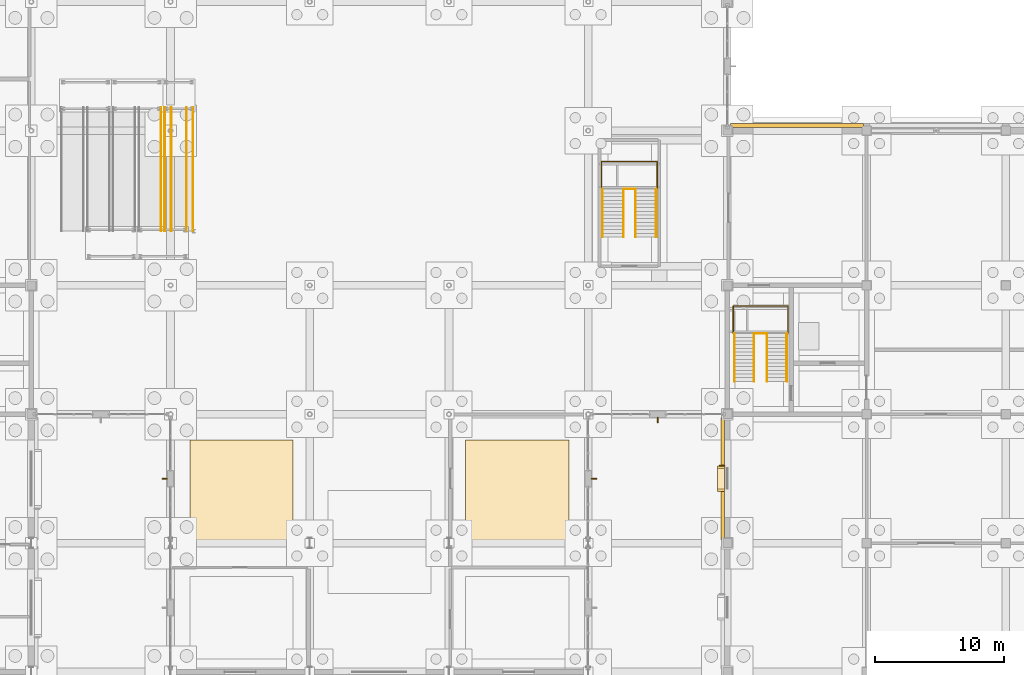
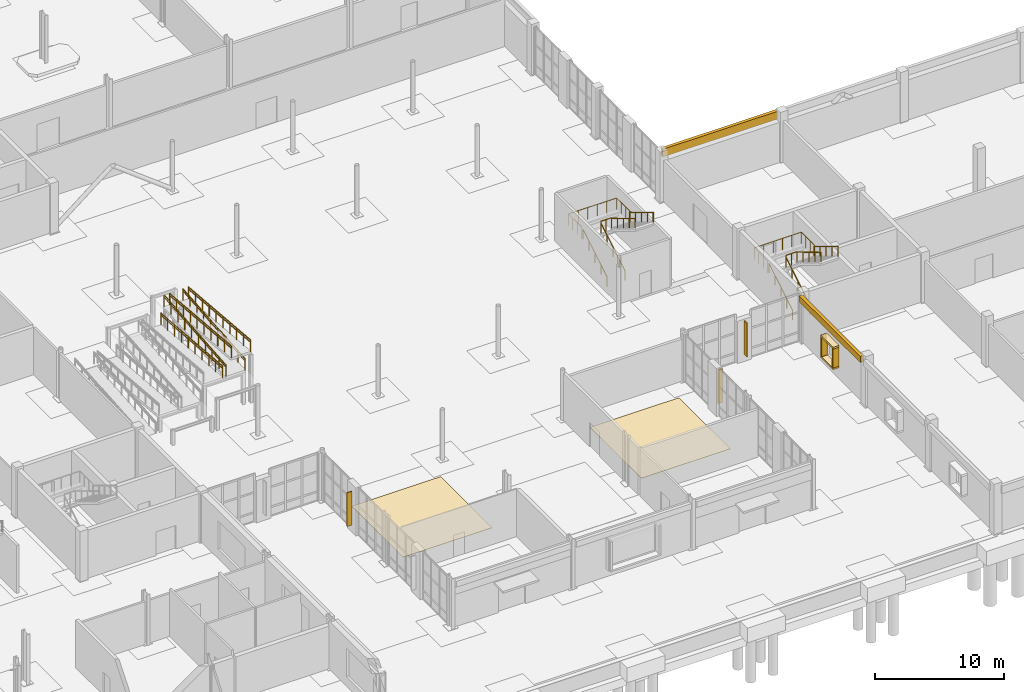
# One storey, part 66 of 73: 22 railings, 8 coverings, 4 shading devices.
"""IFC4 building model written with IfcOpenShell, lengths in metres."""

import ifcopenshell
import ifcopenshell.guid

model = None  # the IFC model being written
_history = None  # IfcOwnerHistory: only IFC2X3 demands one
_inside = {}  # id of a spatial element -> (the spatial element, [elements in it])
_under = {}  # id of a project, library or spatial element -> (it, [spatial elements below it])
_declared = {}  # id of a project -> (the project, [libraries it declares])
_typed = {}  # id of a type object -> (the type object, [elements of that type])
_made_of = {}  # id of a material, layer set ... -> (it, [elements and type objects made of it])


def new_model(schema):
    """Start an empty IFC model of exactly this schema.

    Asked for "IFC4X3", IfcOpenShell would pick the latest addendum, in which some entities
    have other attributes; the version numbers below select the first issue.
    IFC2X3 requires an IfcOwnerHistory on every rooted entity: one is made here for all.
    """
    global model, _history
    if schema == "IFC4X3":
        model = ifcopenshell.file(schema_version=(4, 3, 0, 0))
    else:
        model = ifcopenshell.file(schema=schema)
    _inside.clear()
    _under.clear()
    _declared.clear()
    _typed.clear()
    _made_of.clear()
    _history = None
    if model.schema == "IFC2X3":
        org = make("IfcOrganization", Name="unknown")
        user = make(
            "IfcPersonAndOrganization",
            ThePerson=make("IfcPerson", FamilyName="unknown"),
            TheOrganization=org,
        )
        app = make(
            "IfcApplication",
            ApplicationDeveloper=org,
            Version="unknown",
            ApplicationFullName="unknown",
            ApplicationIdentifier="unknown",
        )
        _history = make(
            "IfcOwnerHistory",
            OwningUser=user,
            OwningApplication=app,
            ChangeAction="ADDED",
            CreationDate=0,
        )
    return model


def make(cls, **values):
    """One entity of the class cls with the attributes given. An attribute that is None is left unset."""
    return model.create_entity(
        cls, **{name: value for name, value in values.items() if value is not None}
    )


def rooted(cls, **values):
    """An entity with a GlobalId (a new one), such as an element, a storey or a relation."""
    return make(cls, GlobalId=ifcopenshell.guid.new(), OwnerHistory=_history, **values)


def si_unit(unit_type, name, prefix=None):
    """IfcSIUnit, for example si_unit("LENGTHUNIT", "METRE", prefix="MILLI")."""
    return make("IfcSIUnit", UnitType=unit_type, Prefix=prefix, Name=name)


def assignment(units):
    """IfcUnitAssignment: the units of a project."""
    return None if units is None else make("IfcUnitAssignment", Units=units)


def point(xyz):
    """IfcCartesianPoint."""
    return None if xyz is None else make("IfcCartesianPoint", Coordinates=xyz)


def direction(xyz):
    """IfcDirection."""
    return None if xyz is None else make("IfcDirection", DirectionRatios=xyz)


def frame(location, z_axis=None, x_axis=None):
    """IfcAxis2Placement3D, a coordinate frame: its origin and axes. An axis left out is left unset."""
    return make(
        "IfcAxis2Placement3D",
        Location=point(location),
        Axis=direction(z_axis),
        RefDirection=direction(x_axis),
    )


def frame_2d(location, x_axis=None):
    """IfcAxis2Placement2D, a coordinate frame in the plane: its origin and x axis."""
    return make(
        "IfcAxis2Placement2D", Location=point(location), RefDirection=direction(x_axis)
    )


def origin():
    """The frame at (0, 0, 0) with its axes left unset."""
    return frame((0.0, 0.0, 0.0))


def origin_2d():
    """The frame at (0, 0) in the plane with its x axis left unset."""
    return frame_2d((0.0, 0.0))


def place(relative_to, where):
    """IfcLocalPlacement: puts the frame where relative to a parent placement (None: the world)."""
    return make(
        "IfcLocalPlacement", PlacementRelTo=relative_to, RelativePlacement=where
    )


def context(
    kind, dimensions, precision=None, world=None, true_north=None, identifier=None
):
    """IfcGeometricRepresentationContext, for example the 3D "Model" context."""
    return make(
        "IfcGeometricRepresentationContext",
        ContextIdentifier=identifier,
        ContextType=kind,
        CoordinateSpaceDimension=dimensions,
        Precision=precision,
        WorldCoordinateSystem=world,
        TrueNorth=true_north,
    )


def subcontext(parent, identifier, kind, view, scale=None):
    """IfcGeometricRepresentationSubContext, for example "Body" below "Model"."""
    return make(
        "IfcGeometricRepresentationSubContext",
        ContextIdentifier=identifier,
        ContextType=kind,
        ParentContext=parent,
        TargetScale=scale,
        TargetView=view,
    )


def project(units=None, contexts=None):
    """IfcProject with its units and contexts."""
    return rooted(
        "IfcProject",
        Name="project",
        RepresentationContexts=contexts,
        UnitsInContext=assignment(units),
    )


def spatial(cls, under=None, at=None, **own):
    """A site, building, storey or space (cls), placed at a placement, below another one or the project."""
    s = rooted(cls, ObjectPlacement=at, **own)
    if under is not None:
        _under.setdefault(under.id(), (under, []))[1].append(s)
    return s


def profile(cls, at=None, kind="AREA", **sizes):
    """A parametric profile (cls). Its sizes go by their IFC names, for example OverallWidth=200.0."""
    return make(cls, ProfileType=kind, Position=at, **sizes)


def rectangle(**sizes):
    """IfcRectangleProfileDef."""
    return profile("IfcRectangleProfileDef", **sizes)


def circle(**sizes):
    """IfcCircleProfileDef."""
    return profile("IfcCircleProfileDef", **sizes)


def extrude(swept, where, along, depth):
    """IfcExtrudedAreaSolid: the profile swept, set in the frame where, extruded along a direction by depth."""
    return make(
        "IfcExtrudedAreaSolid",
        SweptArea=swept,
        Position=where,
        ExtrudedDirection=direction(along),
        Depth=depth,
    )


def shape(context_of_items, identifier, shape_type, items):
    """IfcShapeRepresentation: the items that make up one representation, for example the "Body"."""
    return make(
        "IfcShapeRepresentation",
        ContextOfItems=context_of_items,
        RepresentationIdentifier=identifier,
        RepresentationType=shape_type,
        Items=items,
    )


def material(Name=None, Category=None):
    """IfcMaterial."""
    return make("IfcMaterial", Name=Name, Category=Category)


def layer(
    of_material, thickness, ventilated=None, Name=None, Category=None, Priority=None
):
    """IfcMaterialLayer: one layer of a wall or slab, of a material (None: an air gap)."""
    return make(
        "IfcMaterialLayer",
        Material=of_material,
        LayerThickness=thickness,
        IsVentilated=ventilated,
        Name=Name,
        Category=Category,
        Priority=Priority,
    )


def layer_set(layers, Name=None):
    """IfcMaterialLayerSet."""
    return make("IfcMaterialLayerSet", MaterialLayers=layers, LayerSetName=Name)


def made_of(thing, what):
    """Note that an element or type object is made of a material, layer set ...; save() writes the relation."""
    if what is not None:
        _made_of.setdefault(what.id(), (what, []))[1].append(thing)
    return thing


def type_object(cls, material=None, **own):
    """A type object (cls), such as IfcWallType, which elements share."""
    return made_of(rooted(cls, **own), material)


def element(
    cls,
    number,
    at=None,
    inside=None,
    cuts=None,
    type_object=None,
    material=None,
    context=None,
    identifier="Body",
    shape_type=None,
    held_by="IfcProductDefinitionShape",
    body=None,
    shapes=None,
    **own,
):
    """One element of the class cls, such as IfcWall. Its Tag is "e" and its number.

    at: its placement. inside: the storey or other place that contains it. cuts: it is an
    opening in that element (IfcRelVoidsElement). A single representation is given by context,
    identifier, shape_type and body (its items); several are given by shapes. held_by: the class
    of the entity that holds the representations. save() writes the other relations.
    """
    e = rooted(cls, Tag="e%d" % number, ObjectPlacement=at, **own)
    if body is not None:
        shapes = [shape(context, identifier, shape_type, body)]
    if shapes is not None:
        e.Representation = make(held_by, Representations=shapes)
    if inside is not None:
        _inside.setdefault(inside.id(), (inside, []))[1].append(e)
    if cuts is not None:
        rooted(
            "IfcRelVoidsElement", RelatingBuildingElement=cuts, RelatedOpeningElement=e
        )
    if type_object is not None:
        _typed.setdefault(type_object.id(), (type_object, []))[1].append(e)
    return made_of(e, material)


def aggregate(whole, parts):
    """IfcRelAggregates: a whole, such as a stair, and the parts it consists of."""
    return rooted("IfcRelAggregates", RelatingObject=whole, RelatedObjects=parts)


def save(model, path):
    """Write the relations noted so far, then the file.

    IfcRelAggregates (storeys below a building ...), IfcRelContainedInSpatialStructure (elements
    in a storey), IfcRelDefinesByType, IfcRelAssociatesMaterial and IfcRelDeclares: one each for
    every whole, place, type object, material and project.
    """
    for whole, parts in _under.values():
        aggregate(whole, parts)
    for where, things in _inside.values():
        rooted(
            "IfcRelContainedInSpatialStructure",
            RelatedElements=things,
            RelatingStructure=where,
        )
    for kind, things in _typed.values():
        rooted("IfcRelDefinesByType", RelatedObjects=things, RelatingType=kind)
    for what, things in _made_of.values():
        rooted("IfcRelAssociatesMaterial", RelatedObjects=things, RelatingMaterial=what)
    for by, libraries in _declared.values():
        rooted("IfcRelDeclares", RelatingContext=by, RelatedDefinitions=libraries)
    model.write(path)


model = new_model("IFC4")

# Units and contexts
model_context = context("Model", 3, precision=1e-05, world=origin(), true_north=direction((0.0, 1.0)))
body_context = subcontext(model_context, "Body", "Model", "MODEL_VIEW")
ifc_project = project(units=[si_unit("LENGTHUNIT", "METRE"), si_unit("AREAUNIT", "SQUARE_METRE"), si_unit("VOLUMEUNIT", "CUBIC_METRE"), si_unit("PLANEANGLEUNIT", "RADIAN"), si_unit("MASSUNIT", "GRAM", prefix="KILO")], contexts=[model_context])

# Site, building, storey
site_placement = place(None, origin())
site = spatial("IfcSite", under=ifc_project, at=site_placement, CompositionType="ELEMENT")
building_placement = place(site_placement, origin())
building = spatial("IfcBuilding", under=site, at=building_placement, Name="Tasgan Crest Museum", CompositionType="ELEMENT")
storey_placement = place(building_placement, origin())
storey = spatial("IfcBuildingStorey", under=building, at=storey_placement, Name="L00", CompositionType="ELEMENT", Elevation=0.0)

# Coverings
ifc_material_1 = material(Name="Polished Granite Terrazzo", Category="masonry")
ifc_layer_1 = layer(ifc_material_1, 0.030029296875, Name="COV-FLOOR-TERRAZZO")
ifc_layer_set_1 = layer_set([ifc_layer_1], Name="Polished Granite Terrazzo")
covering_type_1 = type_object("IfcCoveringType", Name="COV-FLOOR-TERRAZZO", PredefinedType="FLOORING", material=ifc_layer_set_1)
for number, where, z_axis, x_axis, name in (
    (1, (70.300048828125, 34.0, 0.0), (0.0, 0.0, 1.0), (1.0, 0.0, 0.0), "Visitor Orientation Vestibule floor finish"),
    (2, (91.699951171875, 34.0, 0.0), (0.0, 0.0, 1.0), (1.0, 0.0, 0.0), "Fire Command Centre floor finish"),
):
    element("IfcCovering", number, at=place(storey_placement, frame(where, z_axis=z_axis, x_axis=x_axis)), inside=storey, type_object=covering_type_1, Name=name, PredefinedType="FLOORING", context=body_context, shape_type="SweptSolid", body=[
        extrude(rectangle(XDim=8.0, YDim=8.0, at=origin_2d()), origin(), (0.0, 0.0, 1.0), 0.030029296875),
    ])
ifc_material_2 = material(Name="Honed Rose-Red Mongolian Granite", Category="masonry")
ifc_layer_2 = layer(ifc_material_2, 0.0400390625, Name="COV-GRANITE-ROSE")
ifc_layer_set_2 = layer_set([ifc_layer_2], Name="Honed Rose-Red Mongolian Granite")
covering_type_2 = type_object("IfcCoveringType", Name="COV-GRANITE-ROSE", PredefinedType="CLADDING", material=ifc_layer_set_2)
for number, where, z_axis, x_axis, name in (
    (3, (107.514892578125, 35.889892578125, 1.2001953125), (0.0, 0.0, 1.0), (0.0, -1.0, 0.0), "Deep window reveal jamb L00-007"),
    (4, (107.514892578125, 34.110107421875, 1.2001953125), (0.0, 0.0, 1.0), (0.0, -1.0, 0.0), "Deep window reveal jamb L00-007"),
):
    element("IfcCovering", number, at=place(storey_placement, frame(where, z_axis=z_axis, x_axis=x_axis)), inside=storey, type_object=covering_type_2, Name=name, PredefinedType="CLADDING", context=body_context, shape_type="SweptSolid", body=[
        extrude(rectangle(XDim=0.179931640625, YDim=0.550048828125, at=origin_2d()), origin(), (0.0, 0.0, 1.0), 1.800048828125),
    ])
ifc_material_3 = material(Name="Honed Buff Limestone", Category="masonry")
ifc_layer_3 = layer(ifc_material_3, 0.044921875, Name="COV-LIMESTONE-BUFF")
ifc_layer_set_3 = layer_set([ifc_layer_3], Name="Honed Buff Limestone")
covering_type_3 = type_object("IfcCoveringType", Name="COV-LIMESTONE-BUFF", PredefinedType="CLADDING", material=ifc_layer_set_3)
covering_1_placement = place(storey_placement, frame((107.64990234375, 35.0, 3.919921875), z_axis=(0.0, 0.0, 1.0), x_axis=(0.0, -1.0, 0.0)))
element("IfcCovering", 5, at=covering_1_placement, inside=storey, type_object=covering_type_3, Name="Stone frieze cladding L00", PredefinedType="CLADDING", context=body_context, shape_type="SweptSolid", body=[
    extrude(rectangle(XDim=9.510009765625, YDim=0.280029296875, at=origin_2d()), origin(), (0.0, 0.0, 1.0), 0.590087890625),
])
covering_2_placement = place(storey_placement, frame((107.514892578125, 35.0, 3.0), z_axis=(0.0, 0.0, 1.0), x_axis=(0.0, -1.0, 0.0)))
element("IfcCovering", 6, at=covering_2_placement, inside=storey, type_object=covering_type_3, Name="Deep window hood L00-007", PredefinedType="CLADDING", context=body_context, shape_type="SweptSolid", body=[
    extrude(rectangle(XDim=1.9599609375, YDim=0.550048828125, at=origin_2d()), origin(), (0.0, 0.0, 1.0), 0.179931640625),
])
covering_3_placement = place(storey_placement, frame((107.514892578125, 35.0, 1.06005859375), z_axis=(0.0, 0.0, 1.0), x_axis=(0.0, -1.0, 0.0)))
element("IfcCovering", 7, at=covering_3_placement, inside=storey, type_object=covering_type_3, Name="Deep window sill L00-007", PredefinedType="CLADDING", context=body_context, shape_type="SweptSolid", body=[
    extrude(rectangle(XDim=1.9599609375, YDim=0.550048828125, at=origin_2d()), origin(), (0.0, 0.0, 1.0), 0.139892578125),
])
covering_4_placement = place(storey_placement, frame((113.39990234375, 62.39990234375, 3.76904296875), z_axis=(0.0, 0.0, 1.0), x_axis=(-1.0, 0.0, 0.0)))
element("IfcCovering", 8, at=covering_4_placement, inside=storey, type_object=covering_type_3, Name="Stone frieze cladding L00", PredefinedType="CLADDING", context=body_context, shape_type="SweptSolid", body=[
    extrude(rectangle(XDim=10.31005859375, YDim=0.280029296875, at=origin_2d()), origin(), (0.0, 0.0, 1.0), 0.740966796875),
])

# Railings
ifc_material_4 = material(Name="Brushed Bronze and Toughened Glass", Category="glass")
railing_type_1 = type_object("IfcRailingType", Name="RL-INT-GUARD-1120", PredefinedType="GUARDRAIL", material=ifc_material_4)
railing_1_placement = place(storey_placement, frame((110.080078125, 46.27490234375, 2.39990234375)))
element("IfcRailing", 9, at=railing_1_placement, inside=storey, type_object=railing_type_1, Name="Stair half-landing well guard ST-SE-L00 T1", PredefinedType="GUARDRAIL", context=body_context, shape_type="SweptSolid", body=[
    extrude(circle(Radius=0.02392578125, at=origin_2d()), frame((0.0, 0.0, 1.09619140625), z_axis=(1.0, 0.0, 0.0), x_axis=(0.0, 1.0, 0.0)), (0.0, 0.0, 1.0), 0.989990234375),
    extrude(circle(Radius=0.02099609375, at=origin_2d()), origin(), (0.0, 0.0, 1.0), 1.072021484375),
    extrude(circle(Radius=0.02099609375, at=origin_2d()), frame((0.4951171875, 0.0, 0.0)), (0.0, 0.0, 1.0), 1.072021484375),
    extrude(circle(Radius=0.02099609375, at=origin_2d()), frame((0.989990234375, 0.0, 0.0)), (0.0, 0.0, 1.0), 1.072021484375),
])
railing_2_placement = place(storey_placement, frame((108.4599609375, 46.294921875, 2.39990234375)))
element("IfcRailing", 10, at=railing_2_placement, inside=storey, type_object=railing_type_1, Name="Stair half-landing perimeter guard ST-SE-L00 T1", PredefinedType="GUARDRAIL", context=body_context, shape_type="SweptSolid", body=[
    extrude(circle(Radius=0.02392578125, at=origin_2d()), frame((0.0, 0.0, 1.09619140625), z_axis=(0.0, 1.0, 0.0), x_axis=(-1.0, 0.0, 0.0)), (0.0, 0.0, 1.0), 2.10009765625),
    extrude(circle(Radius=0.02392578125, at=origin_2d()), frame((0.0, 2.10009765625, 1.09619140625), z_axis=(1.0, 0.0, 0.0), x_axis=(0.0, 1.0, 0.0)), (0.0, 0.0, 1.0), 4.22998046875),
    extrude(circle(Radius=0.02392578125, at=origin_2d()), frame((4.22998046875, 2.10009765625, 1.09619140625), z_axis=(0.0, -1.0, 0.0), x_axis=(1.0, 0.0, 0.0)), (0.0, 0.0, 1.0), 2.10009765625),
    extrude(circle(Radius=0.02099609375, at=origin_2d()), origin(), (0.0, 0.0, 1.0), 1.072021484375),
    extrude(circle(Radius=0.02099609375, at=origin_2d()), frame((0.0, 0.699951171875, 0.0)), (0.0, 0.0, 1.0), 1.072021484375),
    extrude(circle(Radius=0.02099609375, at=origin_2d()), frame((0.0, 1.400146484375, 0.0)), (0.0, 0.0, 1.0), 1.072021484375),
    extrude(circle(Radius=0.02099609375, at=origin_2d()), frame((0.0, 2.10009765625, 0.0)), (0.0, 0.0, 1.0), 1.072021484375),
    extrude(circle(Radius=0.02099609375, at=origin_2d()), frame((0.845947265625, 2.10009765625, 0.0)), (0.0, 0.0, 1.0), 1.072021484375),
    extrude(circle(Radius=0.02099609375, at=origin_2d()), frame((1.69189453125, 2.10009765625, 0.0)), (0.0, 0.0, 1.0), 1.072021484375),
    extrude(circle(Radius=0.02099609375, at=origin_2d()), frame((2.5380859375, 2.10009765625, 0.0)), (0.0, 0.0, 1.0), 1.072021484375),
    extrude(circle(Radius=0.02099609375, at=origin_2d()), frame((3.384033203125, 2.10009765625, 0.0)), (0.0, 0.0, 1.0), 1.072021484375),
    extrude(circle(Radius=0.02099609375, at=origin_2d()), frame((4.22998046875, 2.10009765625, 0.0)), (0.0, 0.0, 1.0), 1.072021484375),
    extrude(circle(Radius=0.02099609375, at=origin_2d()), frame((4.22998046875, 1.400146484375, 0.0)), (0.0, 0.0, 1.0), 1.072021484375),
    extrude(circle(Radius=0.02099609375, at=origin_2d()), frame((4.22998046875, 0.699951171875, 0.0)), (0.0, 0.0, 1.0), 1.072021484375),
    extrude(circle(Radius=0.02099609375, at=origin_2d()), frame((4.22998046875, 0.0, 0.0)), (0.0, 0.0, 1.0), 1.072021484375),
])
railing_3_placement = place(storey_placement, frame((99.93994140625, 57.47509765625, 2.39990234375)))
element("IfcRailing", 11, at=railing_3_placement, inside=storey, type_object=railing_type_1, Name="Stair half-landing well guard ST-AT-L00 T1", PredefinedType="GUARDRAIL", context=body_context, shape_type="SweptSolid", body=[
    extrude(circle(Radius=0.02392578125, at=origin_2d()), frame((0.0, 0.0, 1.09619140625), z_axis=(1.0, 0.0, 0.0), x_axis=(0.0, 1.0, 0.0)), (0.0, 0.0, 1.0), 0.920166015625),
    extrude(circle(Radius=0.02099609375, at=origin_2d()), origin(), (0.0, 0.0, 1.0), 1.072021484375),
    extrude(circle(Radius=0.02099609375, at=origin_2d()), frame((0.4599609375, 0.0, 0.0)), (0.0, 0.0, 1.0), 1.072021484375),
    extrude(circle(Radius=0.02099609375, at=origin_2d()), frame((0.920166015625, 0.0, 0.0)), (0.0, 0.0, 1.0), 1.072021484375),
])
railing_4_placement = place(storey_placement, frame((98.239990234375, 57.4951171875, 2.39990234375)))
element("IfcRailing", 12, at=railing_4_placement, inside=storey, type_object=railing_type_1, Name="Stair half-landing perimeter guard ST-AT-L00 T1", PredefinedType="GUARDRAIL", context=body_context, shape_type="SweptSolid", body=[
    extrude(circle(Radius=0.02392578125, at=origin_2d()), frame((0.0, 0.0, 1.09619140625), z_axis=(0.0, 1.0, 0.0), x_axis=(-1.0, 0.0, 0.0)), (0.0, 0.0, 1.0), 2.099853515625),
    extrude(circle(Radius=0.02392578125, at=origin_2d()), frame((0.0, 2.099853515625, 1.09619140625), z_axis=(1.0, 0.0, 0.0), x_axis=(0.0, 1.0, 0.0)), (0.0, 0.0, 1.0), 4.320068359375),
    extrude(circle(Radius=0.02392578125, at=origin_2d()), frame((4.320068359375, 2.099853515625, 1.09619140625), z_axis=(0.0, -1.0, 0.0), x_axis=(1.0, 0.0, 0.0)), (0.0, 0.0, 1.0), 2.099853515625),
    extrude(circle(Radius=0.02099609375, at=origin_2d()), origin(), (0.0, 0.0, 1.0), 1.072021484375),
    extrude(circle(Radius=0.02099609375, at=origin_2d()), frame((0.0, 0.699951171875, 0.0)), (0.0, 0.0, 1.0), 1.072021484375),
    extrude(circle(Radius=0.02099609375, at=origin_2d()), frame((0.0, 1.39990234375, 0.0)), (0.0, 0.0, 1.0), 1.072021484375),
    extrude(circle(Radius=0.02099609375, at=origin_2d()), frame((0.0, 2.099853515625, 0.0)), (0.0, 0.0, 1.0), 1.072021484375),
    extrude(circle(Radius=0.02099609375, at=origin_2d()), frame((0.864013671875, 2.099853515625, 0.0)), (0.0, 0.0, 1.0), 1.072021484375),
    extrude(circle(Radius=0.02099609375, at=origin_2d()), frame((1.72802734375, 2.099853515625, 0.0)), (0.0, 0.0, 1.0), 1.072021484375),
    extrude(circle(Radius=0.02099609375, at=origin_2d()), frame((2.592041015625, 2.099853515625, 0.0)), (0.0, 0.0, 1.0), 1.072021484375),
    extrude(circle(Radius=0.02099609375, at=origin_2d()), frame((3.4560546875, 2.099853515625, 0.0)), (0.0, 0.0, 1.0), 1.072021484375),
    extrude(circle(Radius=0.02099609375, at=origin_2d()), frame((4.320068359375, 2.099853515625, 0.0)), (0.0, 0.0, 1.0), 1.072021484375),
    extrude(circle(Radius=0.02099609375, at=origin_2d()), frame((4.320068359375, 1.39990234375, 0.0)), (0.0, 0.0, 1.0), 1.072021484375),
    extrude(circle(Radius=0.02099609375, at=origin_2d()), frame((4.320068359375, 0.699951171875, 0.0)), (0.0, 0.0, 1.0), 1.072021484375),
    extrude(circle(Radius=0.02099609375, at=origin_2d()), frame((4.320068359375, 0.0, 0.0)), (0.0, 0.0, 1.0), 1.072021484375),
])
railing_5_placement = place(storey_placement, frame((64.050048828125, 63.800048828125, 2.39990234375)))
element("IfcRailing", 13, at=railing_5_placement, inside=storey, type_object=railing_type_1, Name="Ramp edge guard 4L", PredefinedType="GUARDRAIL", context=body_context, shape_type="SweptSolid", body=[
    extrude(circle(Radius=0.02392578125, at=origin_2d()), frame((0.0, 0.0, 1.09619140625), z_axis=(0.0, -0.996545408675, 0.08304967459), x_axis=(1.0, 0.0, 0.0)), (0.0, 0.0, 1.0), 9.63330078125),
    extrude(circle(Radius=0.02099609375, at=origin_2d()), origin(), (0.0, 0.0, 1.0), 1.072021484375),
    extrude(circle(Radius=0.02099609375, at=origin_2d()), frame((0.0, -1.066650390625, 0.0888671875)), (0.0, 0.0, 1.0), 1.072021484375),
    extrude(circle(Radius=0.02099609375, at=origin_2d()), frame((0.0, -2.13330078125, 0.177734375)), (0.0, 0.0, 1.0), 1.072021484375),
    extrude(circle(Radius=0.02099609375, at=origin_2d()), frame((0.0, -3.199951171875, 0.2666015625)), (0.0, 0.0, 1.0), 1.072021484375),
    extrude(circle(Radius=0.02099609375, at=origin_2d()), frame((0.0, -4.2666015625, 0.35546875)), (0.0, 0.0, 1.0), 1.072021484375),
    extrude(circle(Radius=0.02099609375, at=origin_2d()), frame((0.0, -5.33349609375, 0.444580078125)), (0.0, 0.0, 1.0), 1.072021484375),
    extrude(circle(Radius=0.02099609375, at=origin_2d()), frame((0.0, -6.400146484375, 0.533447265625)), (0.0, 0.0, 1.0), 1.072021484375),
    extrude(circle(Radius=0.02099609375, at=origin_2d()), frame((0.0, -7.466796875, 0.622314453125)), (0.0, 0.0, 1.0), 1.072021484375),
    extrude(circle(Radius=0.02099609375, at=origin_2d()), frame((0.0, -8.533447265625, 0.711181640625)), (0.0, 0.0, 1.0), 1.072021484375),
    extrude(circle(Radius=0.02099609375, at=origin_2d()), frame((0.0, -9.60009765625, 0.800048828125)), (0.0, 0.0, 1.0), 1.072021484375),
])
for number, where, name in (
    (14, (64.35009765625, 54.199951171875, 3.199951171875), "Ramp edge guard 5L"),
    (15, (66.050048828125, 54.199951171875, 3.199951171875), "Ramp edge guard 5R"),
):
    element("IfcRailing", number, at=place(storey_placement, frame(where)), inside=storey, type_object=railing_type_1, Name=name, PredefinedType="GUARDRAIL", context=body_context, shape_type="SweptSolid", body=[
        extrude(circle(Radius=0.02392578125, at=origin_2d()), frame((0.0, 0.0, 1.09619140625), z_axis=(0.0, 0.996545408675, 0.08304967459), x_axis=(-1.0, 0.0, 0.0)), (0.0, 0.0, 1.0), 9.63330078125),
        extrude(circle(Radius=0.02099609375, at=origin_2d()), origin(), (0.0, 0.0, 1.0), 1.072021484375),
        extrude(circle(Radius=0.02099609375, at=origin_2d()), frame((0.0, 1.066650390625, 0.0888671875)), (0.0, 0.0, 1.0), 1.072021484375),
        extrude(circle(Radius=0.02099609375, at=origin_2d()), frame((0.0, 2.13330078125, 0.177734375)), (0.0, 0.0, 1.0), 1.072021484375),
        extrude(circle(Radius=0.02099609375, at=origin_2d()), frame((0.0, 3.199951171875, 0.2666015625)), (0.0, 0.0, 1.0), 1.072021484375),
        extrude(circle(Radius=0.02099609375, at=origin_2d()), frame((0.0, 4.2666015625, 0.35546875)), (0.0, 0.0, 1.0), 1.072021484375),
        extrude(circle(Radius=0.02099609375, at=origin_2d()), frame((0.0, 5.33349609375, 0.444580078125)), (0.0, 0.0, 1.0), 1.072021484375),
        extrude(circle(Radius=0.02099609375, at=origin_2d()), frame((0.0, 6.400146484375, 0.533447265625)), (0.0, 0.0, 1.0), 1.072021484375),
        extrude(circle(Radius=0.02099609375, at=origin_2d()), frame((0.0, 7.466796875, 0.622314453125)), (0.0, 0.0, 1.0), 1.072021484375),
        extrude(circle(Radius=0.02099609375, at=origin_2d()), frame((0.0, 8.533447265625, 0.711181640625)), (0.0, 0.0, 1.0), 1.072021484375),
        extrude(circle(Radius=0.02099609375, at=origin_2d()), frame((0.0, 9.60009765625, 0.800048828125)), (0.0, 0.0, 1.0), 1.072021484375),
    ])
for number, where, name in (
    (16, (66.550048828125, 63.800048828125, 4.0), "Ramp edge guard 6L"),
    (17, (64.85009765625, 63.800048828125, 4.0), "Ramp edge guard 6R"),
):
    element("IfcRailing", number, at=place(storey_placement, frame(where)), inside=storey, type_object=railing_type_1, Name=name, PredefinedType="GUARDRAIL", context=body_context, shape_type="SweptSolid", body=[
        extrude(circle(Radius=0.02392578125, at=origin_2d()), frame((0.0, 0.0, 1.09619140625), z_axis=(0.0, -0.996545408675, 0.08304967459), x_axis=(1.0, 0.0, 0.0)), (0.0, 0.0, 1.0), 9.63330078125),
        extrude(circle(Radius=0.02099609375, at=origin_2d()), origin(), (0.0, 0.0, 1.0), 1.072021484375),
        extrude(circle(Radius=0.02099609375, at=origin_2d()), frame((0.0, -1.066650390625, 0.0888671875)), (0.0, 0.0, 1.0), 1.072021484375),
        extrude(circle(Radius=0.02099609375, at=origin_2d()), frame((0.0, -2.13330078125, 0.177734375)), (0.0, 0.0, 1.0), 1.072021484375),
        extrude(circle(Radius=0.02099609375, at=origin_2d()), frame((0.0, -3.199951171875, 0.2666015625)), (0.0, 0.0, 1.0), 1.072021484375),
        extrude(circle(Radius=0.02099609375, at=origin_2d()), frame((0.0, -4.2666015625, 0.35546875)), (0.0, 0.0, 1.0), 1.072021484375),
        extrude(circle(Radius=0.02099609375, at=origin_2d()), frame((0.0, -5.33349609375, 0.444580078125)), (0.0, 0.0, 1.0), 1.072021484375),
        extrude(circle(Radius=0.02099609375, at=origin_2d()), frame((0.0, -6.400146484375, 0.533447265625)), (0.0, 0.0, 1.0), 1.072021484375),
        extrude(circle(Radius=0.02099609375, at=origin_2d()), frame((0.0, -7.466796875, 0.622314453125)), (0.0, 0.0, 1.0), 1.072021484375),
        extrude(circle(Radius=0.02099609375, at=origin_2d()), frame((0.0, -8.533447265625, 0.711181640625)), (0.0, 0.0, 1.0), 1.072021484375),
        extrude(circle(Radius=0.02099609375, at=origin_2d()), frame((0.0, -9.60009765625, 0.800048828125)), (0.0, 0.0, 1.0), 1.072021484375),
    ])
ifc_material_5 = material(Name="Brushed Stainless Steel", Category="steel")
railing_type_2 = type_object("IfcRailingType", Name="RL-STAIR-HAND-920", PredefinedType="HANDRAIL", material=ifc_material_5)
for number, where, name in (
    (18, (108.5400390625, 42.550048828125, 0.17138671875), "Stair handrail STAIR-CORE-SE-L00-F1 L"),
    (19, (110.080078125, 42.550048828125, 0.17138671875), "Stair handrail STAIR-CORE-SE-L00-F1 R"),
):
    element("IfcRailing", number, at=place(storey_placement, frame(where)), inside=storey, type_object=railing_type_2, Name=name, PredefinedType="HANDRAIL", context=body_context, shape_type="SweptSolid", body=[
        extrude(circle(Radius=0.02392578125, at=origin_2d()), frame((0.0, 0.0, 0.89599609375), z_axis=(0.0, 0.856919398105, 0.515450429384), x_axis=(-1.0, 0.0, 0.0)), (0.0, 0.0, 1.0), 4.323486328125),
        extrude(circle(Radius=0.02099609375, at=origin_2d()), origin(), (0.0, 0.0, 1.0), 0.871826171875),
        extrude(circle(Radius=0.02099609375, at=origin_2d()), frame((0.0, 0.92626953125, 0.55712890625)), (0.0, 0.0, 1.0), 0.871826171875),
        extrude(circle(Radius=0.02099609375, at=origin_2d()), frame((0.0, 1.8525390625, 1.1142578125)), (0.0, 0.0, 1.0), 0.871826171875),
        extrude(circle(Radius=0.02099609375, at=origin_2d()), frame((0.0, 2.778564453125, 1.67138671875)), (0.0, 0.0, 1.0), 0.871826171875),
        extrude(circle(Radius=0.02099609375, at=origin_2d()), frame((0.0, 3.704833984375, 2.228515625)), (0.0, 0.0, 1.0), 0.871826171875),
    ])
for number, where, name in (
    (20, (112.610107421875, 46.2548828125, 2.5712890625), "Stair handrail STAIR-CORE-SE-L00-F2 L"),
    (21, (111.070068359375, 46.2548828125, 2.5712890625), "Stair handrail STAIR-CORE-SE-L00-F2 R"),
):
    element("IfcRailing", number, at=place(storey_placement, frame(where)), inside=storey, type_object=railing_type_2, Name=name, PredefinedType="HANDRAIL", context=body_context, shape_type="SweptSolid", body=[
        extrude(circle(Radius=0.02392578125, at=origin_2d()), frame((0.0, 0.0, 0.89599609375), z_axis=(0.0, -0.856894455432, 0.515491893485), x_axis=(1.0, 0.0, 0.0)), (0.0, 0.0, 1.0), 4.323486328125),
        extrude(circle(Radius=0.02099609375, at=origin_2d()), origin(), (0.0, 0.0, 1.0), 0.871826171875),
        extrude(circle(Radius=0.02099609375, at=origin_2d()), frame((0.0, -0.92626953125, 0.55712890625)), (0.0, 0.0, 1.0), 0.871826171875),
        extrude(circle(Radius=0.02099609375, at=origin_2d()), frame((0.0, -1.8525390625, 1.1142578125)), (0.0, 0.0, 1.0), 0.871826171875),
        extrude(circle(Radius=0.02099609375, at=origin_2d()), frame((0.0, -2.778564453125, 1.671630859375)), (0.0, 0.0, 1.0), 0.871826171875),
        extrude(circle(Radius=0.02099609375, at=origin_2d()), frame((0.0, -3.704833984375, 2.228759765625)), (0.0, 0.0, 1.0), 0.871826171875),
    ])
for number, where, name in (
    (22, (98.320068359375, 53.75, 0.17138671875), "Stair handrail STAIR-ATRIUM-L00-F1 L"),
    (23, (99.93994140625, 53.75, 0.17138671875), "Stair handrail STAIR-ATRIUM-L00-F1 R"),
):
    element("IfcRailing", number, at=place(storey_placement, frame(where)), inside=storey, type_object=railing_type_2, Name=name, PredefinedType="HANDRAIL", context=body_context, shape_type="SweptSolid", body=[
        extrude(circle(Radius=0.02392578125, at=origin_2d()), frame((0.0, 0.0, 0.89599609375), z_axis=(0.0, 0.856934400257, 0.515425487977), x_axis=(-1.0, 0.0, 0.0)), (0.0, 0.0, 1.0), 4.32373046875),
        extrude(circle(Radius=0.02099609375, at=origin_2d()), origin(), (0.0, 0.0, 1.0), 0.871826171875),
        extrude(circle(Radius=0.02099609375, at=origin_2d()), frame((0.0, 0.92626953125, 0.55712890625)), (0.0, 0.0, 1.0), 0.871826171875),
        extrude(circle(Radius=0.02099609375, at=origin_2d()), frame((0.0, 1.8525390625, 1.1142578125)), (0.0, 0.0, 1.0), 0.871826171875),
        extrude(circle(Radius=0.02099609375, at=origin_2d()), frame((0.0, 2.77880859375, 1.67138671875)), (0.0, 0.0, 1.0), 0.871826171875),
        extrude(circle(Radius=0.02099609375, at=origin_2d()), frame((0.0, 3.705078125, 2.228515625)), (0.0, 0.0, 1.0), 0.871826171875),
    ])
for number, where, name in (
    (24, (102.47998046875, 57.455078125, 2.5712890625), "Stair handrail STAIR-ATRIUM-L00-F2 L"),
    (25, (100.860107421875, 57.455078125, 2.5712890625), "Stair handrail STAIR-ATRIUM-L00-F2 R"),
):
    element("IfcRailing", number, at=place(storey_placement, frame(where)), inside=storey, type_object=railing_type_2, Name=name, PredefinedType="HANDRAIL", context=body_context, shape_type="SweptSolid", body=[
        extrude(circle(Radius=0.02392578125, at=origin_2d()), frame((0.0, 0.0, 0.89599609375), z_axis=(0.0, -0.856909459561, 0.515466951525), x_axis=(1.0, 0.0, 0.0)), (0.0, 0.0, 1.0), 4.32373046875),
        extrude(circle(Radius=0.02099609375, at=origin_2d()), origin(), (0.0, 0.0, 1.0), 0.871826171875),
        extrude(circle(Radius=0.02099609375, at=origin_2d()), frame((0.0, -0.92626953125, 0.55712890625)), (0.0, 0.0, 1.0), 0.871826171875),
        extrude(circle(Radius=0.02099609375, at=origin_2d()), frame((0.0, -1.8525390625, 1.1142578125)), (0.0, 0.0, 1.0), 0.871826171875),
        extrude(circle(Radius=0.02099609375, at=origin_2d()), frame((0.0, -2.77880859375, 1.671630859375)), (0.0, 0.0, 1.0), 0.871826171875),
        extrude(circle(Radius=0.02099609375, at=origin_2d()), frame((0.0, -3.705078125, 2.228759765625)), (0.0, 0.0, 1.0), 0.871826171875),
    ])
railing_6_placement = place(storey_placement, frame((64.050048828125, 63.800048828125, 2.39990234375)))
element("IfcRailing", 26, at=railing_6_placement, inside=storey, type_object=railing_type_2, Name="Ramp handrail 4L", PredefinedType="HANDRAIL", context=body_context, shape_type="SweptSolid", body=[
    extrude(circle(Radius=0.02392578125, at=origin_2d()), frame((0.0, 0.0, 0.89599609375), z_axis=(0.0, -0.996545408675, 0.08304967459), x_axis=(1.0, 0.0, 0.0)), (0.0, 0.0, 1.0), 9.63330078125),
    extrude(circle(Radius=0.02099609375, at=origin_2d()), origin(), (0.0, 0.0, 1.0), 0.871826171875),
    extrude(circle(Radius=0.02099609375, at=origin_2d()), frame((0.0, -1.066650390625, 0.0888671875)), (0.0, 0.0, 1.0), 0.871826171875),
    extrude(circle(Radius=0.02099609375, at=origin_2d()), frame((0.0, -2.13330078125, 0.177734375)), (0.0, 0.0, 1.0), 0.871826171875),
    extrude(circle(Radius=0.02099609375, at=origin_2d()), frame((0.0, -3.199951171875, 0.2666015625)), (0.0, 0.0, 1.0), 0.871826171875),
    extrude(circle(Radius=0.02099609375, at=origin_2d()), frame((0.0, -4.2666015625, 0.35546875)), (0.0, 0.0, 1.0), 0.871826171875),
    extrude(circle(Radius=0.02099609375, at=origin_2d()), frame((0.0, -5.33349609375, 0.444580078125)), (0.0, 0.0, 1.0), 0.871826171875),
    extrude(circle(Radius=0.02099609375, at=origin_2d()), frame((0.0, -6.400146484375, 0.533447265625)), (0.0, 0.0, 1.0), 0.871826171875),
    extrude(circle(Radius=0.02099609375, at=origin_2d()), frame((0.0, -7.466796875, 0.622314453125)), (0.0, 0.0, 1.0), 0.871826171875),
    extrude(circle(Radius=0.02099609375, at=origin_2d()), frame((0.0, -8.533447265625, 0.711181640625)), (0.0, 0.0, 1.0), 0.871826171875),
    extrude(circle(Radius=0.02099609375, at=origin_2d()), frame((0.0, -9.60009765625, 0.800048828125)), (0.0, 0.0, 1.0), 0.871826171875),
])
for number, where, name in (
    (27, (64.35009765625, 54.199951171875, 3.199951171875), "Ramp handrail 5L"),
    (28, (66.050048828125, 54.199951171875, 3.199951171875), "Ramp handrail 5R"),
):
    element("IfcRailing", number, at=place(storey_placement, frame(where)), inside=storey, type_object=railing_type_2, Name=name, PredefinedType="HANDRAIL", context=body_context, shape_type="SweptSolid", body=[
        extrude(circle(Radius=0.02392578125, at=origin_2d()), frame((0.0, 0.0, 0.89599609375), z_axis=(0.0, 0.996545408675, 0.08304967459), x_axis=(-1.0, 0.0, 0.0)), (0.0, 0.0, 1.0), 9.63330078125),
        extrude(circle(Radius=0.02099609375, at=origin_2d()), origin(), (0.0, 0.0, 1.0), 0.871826171875),
        extrude(circle(Radius=0.02099609375, at=origin_2d()), frame((0.0, 1.066650390625, 0.0888671875)), (0.0, 0.0, 1.0), 0.871826171875),
        extrude(circle(Radius=0.02099609375, at=origin_2d()), frame((0.0, 2.13330078125, 0.177734375)), (0.0, 0.0, 1.0), 0.871826171875),
        extrude(circle(Radius=0.02099609375, at=origin_2d()), frame((0.0, 3.199951171875, 0.2666015625)), (0.0, 0.0, 1.0), 0.871826171875),
        extrude(circle(Radius=0.02099609375, at=origin_2d()), frame((0.0, 4.2666015625, 0.35546875)), (0.0, 0.0, 1.0), 0.871826171875),
        extrude(circle(Radius=0.02099609375, at=origin_2d()), frame((0.0, 5.33349609375, 0.444580078125)), (0.0, 0.0, 1.0), 0.871826171875),
        extrude(circle(Radius=0.02099609375, at=origin_2d()), frame((0.0, 6.400146484375, 0.533447265625)), (0.0, 0.0, 1.0), 0.871826171875),
        extrude(circle(Radius=0.02099609375, at=origin_2d()), frame((0.0, 7.466796875, 0.622314453125)), (0.0, 0.0, 1.0), 0.871826171875),
        extrude(circle(Radius=0.02099609375, at=origin_2d()), frame((0.0, 8.533447265625, 0.711181640625)), (0.0, 0.0, 1.0), 0.871826171875),
        extrude(circle(Radius=0.02099609375, at=origin_2d()), frame((0.0, 9.60009765625, 0.800048828125)), (0.0, 0.0, 1.0), 0.871826171875),
    ])
for number, where, name in (
    (29, (66.550048828125, 63.800048828125, 4.0), "Ramp handrail 6L"),
    (30, (64.85009765625, 63.800048828125, 4.0), "Ramp handrail 6R"),
):
    element("IfcRailing", number, at=place(storey_placement, frame(where)), inside=storey, type_object=railing_type_2, Name=name, PredefinedType="HANDRAIL", context=body_context, shape_type="SweptSolid", body=[
        extrude(circle(Radius=0.02392578125, at=origin_2d()), frame((0.0, 0.0, 0.89599609375), z_axis=(0.0, -0.996545408675, 0.08304967459), x_axis=(1.0, 0.0, 0.0)), (0.0, 0.0, 1.0), 9.63330078125),
        extrude(circle(Radius=0.02099609375, at=origin_2d()), origin(), (0.0, 0.0, 1.0), 0.871826171875),
        extrude(circle(Radius=0.02099609375, at=origin_2d()), frame((0.0, -1.066650390625, 0.0888671875)), (0.0, 0.0, 1.0), 0.871826171875),
        extrude(circle(Radius=0.02099609375, at=origin_2d()), frame((0.0, -2.13330078125, 0.177734375)), (0.0, 0.0, 1.0), 0.871826171875),
        extrude(circle(Radius=0.02099609375, at=origin_2d()), frame((0.0, -3.199951171875, 0.2666015625)), (0.0, 0.0, 1.0), 0.871826171875),
        extrude(circle(Radius=0.02099609375, at=origin_2d()), frame((0.0, -4.2666015625, 0.35546875)), (0.0, 0.0, 1.0), 0.871826171875),
        extrude(circle(Radius=0.02099609375, at=origin_2d()), frame((0.0, -5.33349609375, 0.444580078125)), (0.0, 0.0, 1.0), 0.871826171875),
        extrude(circle(Radius=0.02099609375, at=origin_2d()), frame((0.0, -6.400146484375, 0.533447265625)), (0.0, 0.0, 1.0), 0.871826171875),
        extrude(circle(Radius=0.02099609375, at=origin_2d()), frame((0.0, -7.466796875, 0.622314453125)), (0.0, 0.0, 1.0), 0.871826171875),
        extrude(circle(Radius=0.02099609375, at=origin_2d()), frame((0.0, -8.533447265625, 0.711181640625)), (0.0, 0.0, 1.0), 0.871826171875),
        extrude(circle(Radius=0.02099609375, at=origin_2d()), frame((0.0, -9.60009765625, 0.800048828125)), (0.0, 0.0, 1.0), 0.871826171875),
    ])

# Shading devices
ifc_material_6 = material(Name="Anodised Bronze Aluminium", Category="aluminium")
shading_device_type = type_object("IfcShadingDeviceType", Name="SH-FIN-V400", PredefinedType="JALOUSIE", material=ifc_material_6)
for number, where, z_axis, x_axis, name in (
    (31, (64.35009765625, 35.0, 0.68017578125), (0.0, 0.0, 1.0), (0.0, -1.0, 0.0), "Facade pier solar fin L00"),
    (32, (97.64990234375, 35.0, 0.68017578125), (0.0, 0.0, 1.0), (0.0, 1.0, 0.0), "Facade pier solar fin L00"),
    (33, (102.60009765625, 39.550048828125, 0.68017578125), (0.0, 0.0, 1.0), (1.0, 0.0, 0.0), "Facade pier solar fin L00"),
):
    element("IfcShadingDevice", number, at=place(storey_placement, frame(where, z_axis=z_axis, x_axis=x_axis)), inside=storey, type_object=shading_device_type, Name=name, PredefinedType="JALOUSIE", context=body_context, shape_type="SweptSolid", body=[
        extrude(rectangle(XDim=0.080078125, YDim=0.419921875, at=origin_2d()), origin(), (0.0, 0.0, 1.0), 3.199951171875),
    ])
shading_device_placement = place(storey_placement, frame((107.580078125, 36.02001953125, 1.10009765625), z_axis=(0.0, 0.0, 1.0), x_axis=(0.0, -1.0, 0.0)))
element("IfcShadingDevice", 34, at=shading_device_placement, inside=storey, type_object=shading_device_type, Name="Solar shading fin L00-007", PredefinedType="JALOUSIE", context=body_context, shape_type="SweptSolid", body=[
    extrude(rectangle(XDim=0.080078125, YDim=0.419921875, at=origin_2d()), origin(), (0.0, 0.0, 1.0), 2.0),
])

save(model, "model.ifc")
